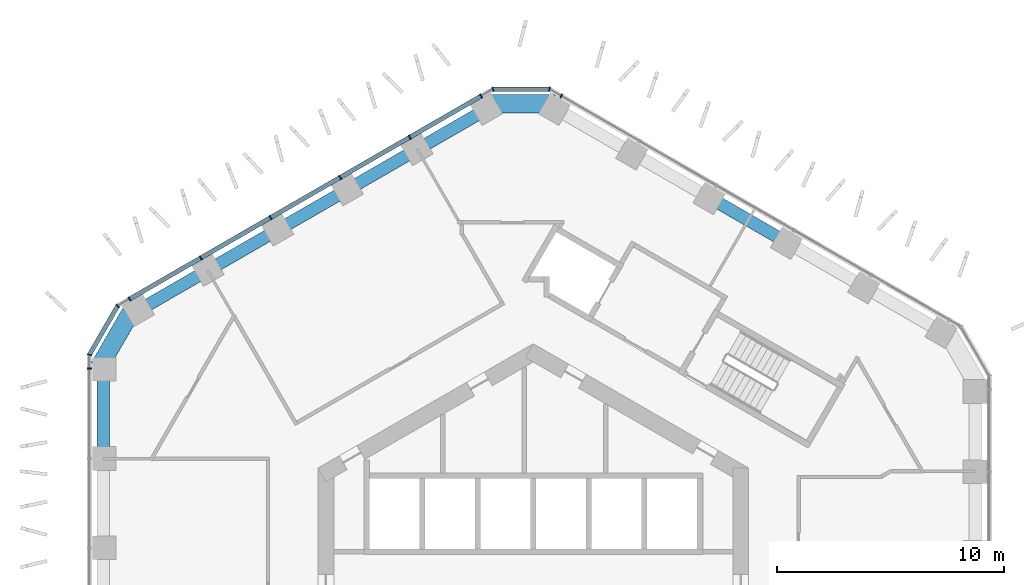
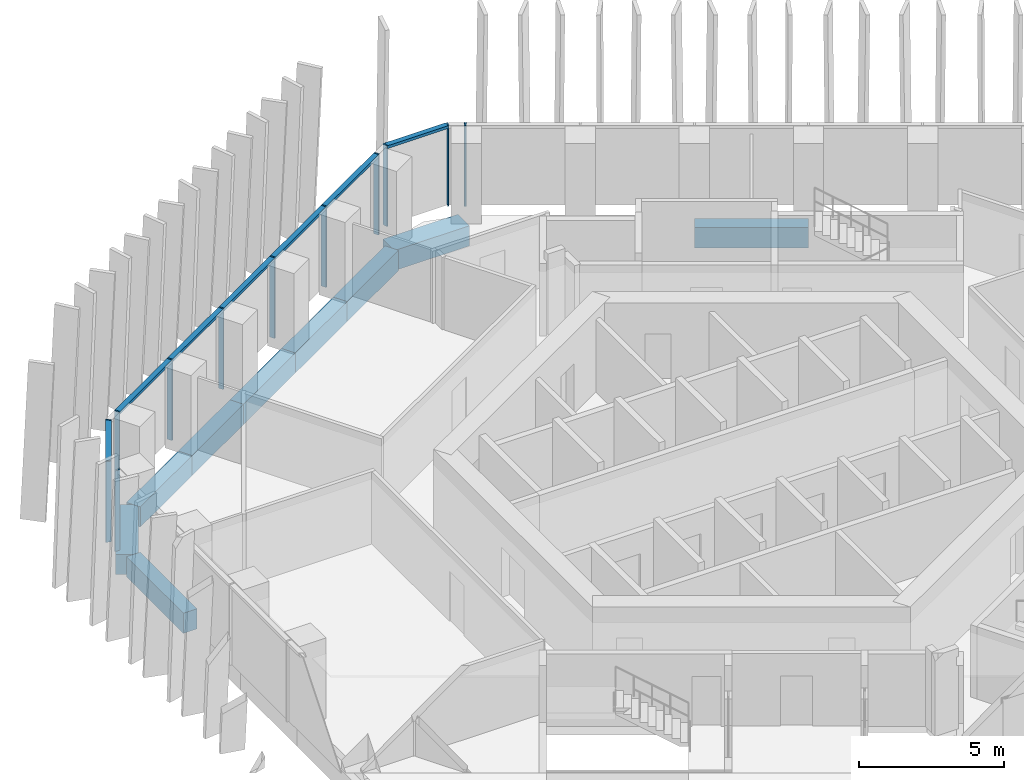
# One storey, part 6 of 19: 15 members, 9 beams, 5 elements without a shape of their own.
"""IFC4 building model written with IfcOpenShell, lengths in metres."""

import ifcopenshell
import ifcopenshell.guid

model = None  # the IFC model being written
_history = None  # IfcOwnerHistory: only IFC2X3 demands one
_inside = {}  # id of a spatial element -> (the spatial element, [elements in it])
_under = {}  # id of a project, library or spatial element -> (it, [spatial elements below it])
_declared = {}  # id of a project -> (the project, [libraries it declares])
_typed = {}  # id of a type object -> (the type object, [elements of that type])
_made_of = {}  # id of a material, layer set ... -> (it, [elements and type objects made of it])


def new_model(schema):
    """Start an empty IFC model of exactly this schema.

    Asked for "IFC4X3", IfcOpenShell would pick the latest addendum, in which some entities
    have other attributes; the version numbers below select the first issue.
    IFC2X3 requires an IfcOwnerHistory on every rooted entity: one is made here for all.
    """
    global model, _history
    if schema == "IFC4X3":
        model = ifcopenshell.file(schema_version=(4, 3, 0, 0))
    else:
        model = ifcopenshell.file(schema=schema)
    _inside.clear()
    _under.clear()
    _declared.clear()
    _typed.clear()
    _made_of.clear()
    _history = None
    if model.schema == "IFC2X3":
        org = make("IfcOrganization", Name="unknown")
        user = make(
            "IfcPersonAndOrganization",
            ThePerson=make("IfcPerson", FamilyName="unknown"),
            TheOrganization=org,
        )
        app = make(
            "IfcApplication",
            ApplicationDeveloper=org,
            Version="unknown",
            ApplicationFullName="unknown",
            ApplicationIdentifier="unknown",
        )
        _history = make(
            "IfcOwnerHistory",
            OwningUser=user,
            OwningApplication=app,
            ChangeAction="ADDED",
            CreationDate=0,
        )
    return model


def make(cls, **values):
    """One entity of the class cls with the attributes given. An attribute that is None is left unset."""
    return model.create_entity(
        cls, **{name: value for name, value in values.items() if value is not None}
    )


def rooted(cls, **values):
    """An entity with a GlobalId (a new one), such as an element, a storey or a relation."""
    return make(cls, GlobalId=ifcopenshell.guid.new(), OwnerHistory=_history, **values)


def si_unit(unit_type, name, prefix=None):
    """IfcSIUnit, for example si_unit("LENGTHUNIT", "METRE", prefix="MILLI")."""
    return make("IfcSIUnit", UnitType=unit_type, Prefix=prefix, Name=name)


def assignment(units):
    """IfcUnitAssignment: the units of a project."""
    return None if units is None else make("IfcUnitAssignment", Units=units)


def point(xyz):
    """IfcCartesianPoint."""
    return None if xyz is None else make("IfcCartesianPoint", Coordinates=xyz)


def direction(xyz):
    """IfcDirection."""
    return None if xyz is None else make("IfcDirection", DirectionRatios=xyz)


def frame(location, z_axis=None, x_axis=None):
    """IfcAxis2Placement3D, a coordinate frame: its origin and axes. An axis left out is left unset."""
    return make(
        "IfcAxis2Placement3D",
        Location=point(location),
        Axis=direction(z_axis),
        RefDirection=direction(x_axis),
    )


def frame_2d(location, x_axis=None):
    """IfcAxis2Placement2D, a coordinate frame in the plane: its origin and x axis."""
    return make(
        "IfcAxis2Placement2D", Location=point(location), RefDirection=direction(x_axis)
    )


def origin():
    """The frame at (0, 0, 0) with its axes left unset."""
    return frame((0.0, 0.0, 0.0))


def origin_2d():
    """The frame at (0, 0) in the plane with its x axis left unset."""
    return frame_2d((0.0, 0.0))


def place(relative_to, where):
    """IfcLocalPlacement: puts the frame where relative to a parent placement (None: the world)."""
    return make(
        "IfcLocalPlacement", PlacementRelTo=relative_to, RelativePlacement=where
    )


def context(
    kind, dimensions, precision=None, world=None, true_north=None, identifier=None
):
    """IfcGeometricRepresentationContext, for example the 3D "Model" context."""
    return make(
        "IfcGeometricRepresentationContext",
        ContextIdentifier=identifier,
        ContextType=kind,
        CoordinateSpaceDimension=dimensions,
        Precision=precision,
        WorldCoordinateSystem=world,
        TrueNorth=true_north,
    )


def subcontext(parent, identifier, kind, view, scale=None):
    """IfcGeometricRepresentationSubContext, for example "Body" below "Model"."""
    return make(
        "IfcGeometricRepresentationSubContext",
        ContextIdentifier=identifier,
        ContextType=kind,
        ParentContext=parent,
        TargetScale=scale,
        TargetView=view,
    )


def project(units=None, contexts=None):
    """IfcProject with its units and contexts."""
    return rooted(
        "IfcProject",
        Name="project",
        RepresentationContexts=contexts,
        UnitsInContext=assignment(units),
    )


def spatial(cls, under=None, at=None, **own):
    """A site, building, storey or space (cls), placed at a placement, below another one or the project."""
    s = rooted(cls, ObjectPlacement=at, **own)
    if under is not None:
        _under.setdefault(under.id(), (under, []))[1].append(s)
    return s


def profile(cls, at=None, kind="AREA", **sizes):
    """A parametric profile (cls). Its sizes go by their IFC names, for example OverallWidth=200.0."""
    return make(cls, ProfileType=kind, Position=at, **sizes)


def rectangle(**sizes):
    """IfcRectangleProfileDef."""
    return profile("IfcRectangleProfileDef", **sizes)


def extrude(swept, where, along, depth):
    """IfcExtrudedAreaSolid: the profile swept, set in the frame where, extruded along a direction by depth."""
    return make(
        "IfcExtrudedAreaSolid",
        SweptArea=swept,
        Position=where,
        ExtrudedDirection=direction(along),
        Depth=depth,
    )


def shape(context_of_items, identifier, shape_type, items):
    """IfcShapeRepresentation: the items that make up one representation, for example the "Body"."""
    return make(
        "IfcShapeRepresentation",
        ContextOfItems=context_of_items,
        RepresentationIdentifier=identifier,
        RepresentationType=shape_type,
        Items=items,
    )


def material(Name=None, Category=None):
    """IfcMaterial."""
    return make("IfcMaterial", Name=Name, Category=Category)


def layer(
    of_material, thickness, ventilated=None, Name=None, Category=None, Priority=None
):
    """IfcMaterialLayer: one layer of a wall or slab, of a material (None: an air gap)."""
    return make(
        "IfcMaterialLayer",
        Material=of_material,
        LayerThickness=thickness,
        IsVentilated=ventilated,
        Name=Name,
        Category=Category,
        Priority=Priority,
    )


def layer_set(layers, Name=None):
    """IfcMaterialLayerSet."""
    return make("IfcMaterialLayerSet", MaterialLayers=layers, LayerSetName=Name)


def material_profile(
    of_material, cross_section, Name=None, Category=None, Priority=None
):
    """IfcMaterialProfile: a cross section and its material."""
    return make(
        "IfcMaterialProfile",
        Name=Name,
        Material=of_material,
        Profile=cross_section,
        Priority=Priority,
        Category=Category,
    )


def profile_set(profiles, Name=None, composite=None):
    """IfcMaterialProfileSet."""
    return make(
        "IfcMaterialProfileSet",
        Name=Name,
        MaterialProfiles=profiles,
        CompositeProfile=composite,
    )


def made_of(thing, what):
    """Note that an element or type object is made of a material, layer set ...; save() writes the relation."""
    if what is not None:
        _made_of.setdefault(what.id(), (what, []))[1].append(thing)
    return thing


def type_object(cls, material=None, **own):
    """A type object (cls), such as IfcWallType, which elements share."""
    return made_of(rooted(cls, **own), material)


def element(
    cls,
    number,
    at=None,
    inside=None,
    cuts=None,
    type_object=None,
    material=None,
    context=None,
    identifier="Body",
    shape_type=None,
    held_by="IfcProductDefinitionShape",
    body=None,
    shapes=None,
    **own,
):
    """One element of the class cls, such as IfcWall. Its Tag is "e" and its number.

    at: its placement. inside: the storey or other place that contains it. cuts: it is an
    opening in that element (IfcRelVoidsElement). A single representation is given by context,
    identifier, shape_type and body (its items); several are given by shapes. held_by: the class
    of the entity that holds the representations. save() writes the other relations.
    """
    e = rooted(cls, Tag="e%d" % number, ObjectPlacement=at, **own)
    if body is not None:
        shapes = [shape(context, identifier, shape_type, body)]
    if shapes is not None:
        e.Representation = make(held_by, Representations=shapes)
    if inside is not None:
        _inside.setdefault(inside.id(), (inside, []))[1].append(e)
    if cuts is not None:
        rooted(
            "IfcRelVoidsElement", RelatingBuildingElement=cuts, RelatedOpeningElement=e
        )
    if type_object is not None:
        _typed.setdefault(type_object.id(), (type_object, []))[1].append(e)
    return made_of(e, material)


def aggregate(whole, parts):
    """IfcRelAggregates: a whole, such as a stair, and the parts it consists of."""
    return rooted("IfcRelAggregates", RelatingObject=whole, RelatedObjects=parts)


def save(model, path):
    """Write the relations noted so far, then the file.

    IfcRelAggregates (storeys below a building ...), IfcRelContainedInSpatialStructure (elements
    in a storey), IfcRelDefinesByType, IfcRelAssociatesMaterial and IfcRelDeclares: one each for
    every whole, place, type object, material and project.
    """
    for whole, parts in _under.values():
        aggregate(whole, parts)
    for where, things in _inside.values():
        rooted(
            "IfcRelContainedInSpatialStructure",
            RelatedElements=things,
            RelatingStructure=where,
        )
    for kind, things in _typed.values():
        rooted("IfcRelDefinesByType", RelatedObjects=things, RelatingType=kind)
    for what, things in _made_of.values():
        rooted("IfcRelAssociatesMaterial", RelatedObjects=things, RelatingMaterial=what)
    for by, libraries in _declared.values():
        rooted("IfcRelDeclares", RelatingContext=by, RelatedDefinitions=libraries)
    model.write(path)


model = new_model("IFC4")

# Units and contexts
model_context = context("Model", 3, precision=1e-05, world=origin(), true_north=direction((0.0, 1.0)))
body_context = subcontext(model_context, "Body", "Model", "MODEL_VIEW")
ifc_project = project(units=[si_unit("LENGTHUNIT", "METRE"), si_unit("AREAUNIT", "SQUARE_METRE"), si_unit("VOLUMEUNIT", "CUBIC_METRE"), si_unit("PLANEANGLEUNIT", "RADIAN"), si_unit("MASSUNIT", "GRAM", prefix="KILO")], contexts=[model_context])

# Site, building, storey
site_placement = place(None, origin())
site = spatial("IfcSite", under=ifc_project, at=site_placement, CompositionType="ELEMENT")
building_placement = place(site_placement, origin())
building = spatial("IfcBuilding", under=site, at=building_placement, Name="Ayvan Gate Tower", CompositionType="ELEMENT")
storey_placement = place(building_placement, frame((0.0, 0.0, 113.699951171875)))
storey = spatial("IfcBuildingStorey", under=building, at=storey_placement, Name="L30", CompositionType="ELEMENT", Elevation=113.699951171875)

# Beams
ifc_material_1 = material(Name="Concrete C40/50", Category="concrete")
ifc_material_profile_1 = material_profile(ifc_material_1, rectangle(XDim=0.800048828125, YDim=0.85009765625, at=origin_2d()), Name="RC 800x850")
ifc_profile_set_1 = profile_set([ifc_material_profile_1], Name="Concrete C40/50")
beam_type_1 = type_object("IfcBeamType", Name="Corner spandrel beam RC 800x850 C40/50", PredefinedType="BEAM", material=ifc_profile_set_1)
for number, where, z_axis, x_axis, name in (
    (1, (0.9794921875, 21.553466796875, -0.77490234375), (-1.0, 0.0, 0.0), (0.0, -1.0, 0.0), "SB-L30-12"),
    (2, (-17.655517578125, 12.526611328125, -0.77490234375), (-0.499990139034, -0.866031096941, 0.0), (0.866031096941, -0.499990139034, 0.0), "SB-L30-18"),
):
    element("IfcBeam", number, at=place(storey_placement, frame(where, z_axis=z_axis, x_axis=x_axis)), inside=storey, type_object=beam_type_1, Name=name, PredefinedType="BEAM", context=body_context, shape_type="SweptSolid", body=[
        extrude(rectangle(XDim=0.800048828125, YDim=0.85009765625, at=origin_2d()), origin(), (0.0, 0.0, 1.0), 3.0),
    ])
ifc_material_profile_2 = material_profile(ifc_material_1, rectangle(XDim=0.550048828125, YDim=0.85009765625, at=origin_2d()), Name="RC 550x850")
ifc_profile_set_2 = profile_set([ifc_material_profile_2], Name="Concrete C40/50")
beam_type_2 = type_object("IfcBeamType", Name="Spandrel beam RC 550x850 C40/50", PredefinedType="BEAM", material=ifc_profile_set_2)
beam_1_placement = place(storey_placement, frame((11.18310546875, 15.4423828125, -0.77490234375), z_axis=(-0.866027196549, 0.499996894828, 0.0), x_axis=(-0.499996894828, -0.866027196549, 0.0)))
element("IfcBeam", 3, at=beam_1_placement, inside=storey, type_object=beam_type_2, Name="SB-L30-9", PredefinedType="BEAM", context=body_context, shape_type="SweptSolid", body=[
    extrude(rectangle(XDim=0.550048828125, YDim=0.85009765625, at=origin_2d()), origin(), (0.0, 0.0, 1.0), 3.92724609375),
])
for number, where, z_axis, x_axis, name in (
    (4, (-2.0205078125, 21.33349609375, -0.77490234375), (-0.866014603225, -0.500018706652, 0.0), (0.500018706652, -0.866014603225, 0.0), "SB-L30-13"),
    (5, (-5.109375, 19.550048828125, -0.77490234375), (-0.866014603225, -0.500018706652, 0.0), (0.500018706652, -0.866014603225, 0.0), "SB-L30-14"),
    (6, (-8.1982421875, 17.7666015625, -0.77490234375), (-0.86604424267, -0.499967368674, 0.0), (0.499967368674, -0.86604424267, 0.0), "SB-L30-15"),
):
    element("IfcBeam", number, at=place(storey_placement, frame(where, z_axis=z_axis, x_axis=x_axis)), inside=storey, type_object=beam_type_2, Name=name, PredefinedType="BEAM", context=body_context, shape_type="SweptSolid", body=[
        extrude(rectangle(XDim=0.550048828125, YDim=0.85009765625, at=origin_2d()), origin(), (0.0, 0.0, 1.0), 3.566650390625),
    ])
beam_2_placement = place(storey_placement, frame((-11.287109375, 15.9833984375, -0.77490234375), z_axis=(-0.866031715191, -0.499989068163, 0.0), x_axis=(0.499989068163, -0.866031715191, 0.0)))
element("IfcBeam", 7, at=beam_2_placement, inside=storey, type_object=beam_type_2, Name="SB-L30-16", PredefinedType="BEAM", context=body_context, shape_type="SweptSolid", body=[
    extrude(rectangle(XDim=0.550048828125, YDim=0.85009765625, at=origin_2d()), origin(), (0.0, 0.0, 1.0), 3.56689453125),
])
beam_3_placement = place(storey_placement, frame((-14.376220703125, 14.199951171875, -0.77490234375), z_axis=(-0.866014603225, -0.500018706652, 0.0), x_axis=(0.500018706652, -0.866014603225, 0.0)))
element("IfcBeam", 8, at=beam_3_placement, inside=storey, type_object=beam_type_2, Name="SB-L30-17", PredefinedType="BEAM", context=body_context, shape_type="SweptSolid", body=[
    extrude(rectangle(XDim=0.550048828125, YDim=0.85009765625, at=origin_2d()), origin(), (0.0, 0.0, 1.0), 3.566650390625),
])
beam_4_placement = place(storey_placement, frame((-18.965087890625, 9.818603515625, -0.77490234375), z_axis=(0.0, -1.0, 0.0), x_axis=(1.0, 0.0, 0.0)))
element("IfcBeam", 9, at=beam_4_placement, inside=storey, type_object=beam_type_2, Name="SB-L30-19", PredefinedType="BEAM", context=body_context, shape_type="SweptSolid", body=[
    extrude(rectangle(XDim=0.550048828125, YDim=0.85009765625, at=origin_2d()), origin(), (0.0, 0.0, 1.0), 3.927490234375),
])

# Curtain wall, members
ifc_material_2 = material(Name="Bronze anodised aluminium", Category="aluminium")
ifc_layer_1 = layer(ifc_material_2, 0.199951171875)
ifc_layer_set_1 = layer_set([ifc_layer_1], Name="Bronze anodised aluminium")
curtain_wall_type_1 = type_object("IfcCurtainWallType", Name="Stick curtain wall CW-1", PredefinedType="NOTDEFINED", material=ifc_layer_set_1)
curtain_wall_1_placement = place(storey_placement, origin())
curtain_wall_1 = element("IfcCurtainWall", 10, at=curtain_wall_1_placement, inside=storey, type_object=curtain_wall_type_1, Name="Stick curtain wall CW-1 L30", PredefinedType="NOTDEFINED")
ifc_material_profile_3 = material_profile(ifc_material_2, rectangle(XDim=0.199951171875, YDim=0.06005859375, at=origin_2d()), Name="Stick curtain wall CW-1 mullion 200 x 60")
ifc_profile_set_3 = profile_set([ifc_material_profile_3], Name="Bronze anodised aluminium")
member_type_1 = type_object("IfcMemberType", Name="Stick curtain wall CW-1 mullion 200 x 60", PredefinedType="MULLION", material=ifc_profile_set_3)
member_1_placement = place(storey_placement, frame((-2.30126953125, 21.89306640625, 0.0), z_axis=(0.0, 0.0, 1.0), x_axis=(-0.5, 0.866025403784, 0.0)))
member_1 = element("IfcMember", 11, at=member_1_placement, type_object=member_type_1, Name="CW-1 mullion 1", PredefinedType="MULLION", context=body_context, shape_type="SweptSolid", body=[
    extrude(rectangle(XDim=0.199951171875, YDim=0.06005859375, at=origin_2d()), origin(), (0.0, 0.0, 1.0), 3.400146484375),
])
member_2_placement = place(storey_placement, frame((-5.447509765625, 20.076416015625, 0.0), z_axis=(0.0, 0.0, 1.0), x_axis=(-0.5, 0.866025403784, 0.0)))
member_2 = element("IfcMember", 12, at=member_2_placement, type_object=member_type_1, Name="CW-1 mullion 2", PredefinedType="MULLION", context=body_context, shape_type="SweptSolid", body=[
    extrude(rectangle(XDim=0.199951171875, YDim=0.06005859375, at=origin_2d()), origin(), (0.0, 0.0, 1.0), 3.400146484375),
])
member_3_placement = place(storey_placement, frame((-8.519287109375, 18.302978515625, 0.0), z_axis=(0.0, 0.0, 1.0), x_axis=(-0.5, 0.866025403784, 0.0)))
member_3 = element("IfcMember", 13, at=member_3_placement, type_object=member_type_1, Name="CW-1 mullion 3", PredefinedType="MULLION", context=body_context, shape_type="SweptSolid", body=[
    extrude(rectangle(XDim=0.199951171875, YDim=0.06005859375, at=origin_2d()), origin(), (0.0, 0.0, 1.0), 3.400146484375),
])
member_4_placement = place(storey_placement, frame((-11.59130859375, 16.529541015625, 0.0), z_axis=(0.0, 0.0, 1.0), x_axis=(-0.5, 0.866025403784, 0.0)))
member_4 = element("IfcMember", 14, at=member_4_placement, type_object=member_type_1, Name="CW-1 mullion 4", PredefinedType="MULLION", context=body_context, shape_type="SweptSolid", body=[
    extrude(rectangle(XDim=0.199951171875, YDim=0.06005859375, at=origin_2d()), origin(), (0.0, 0.0, 1.0), 3.400146484375),
])
member_5_placement = place(storey_placement, frame((-14.6630859375, 14.756103515625, 0.0), z_axis=(0.0, 0.0, 1.0), x_axis=(-0.5, 0.866025403784, 0.0)))
member_5 = element("IfcMember", 15, at=member_5_placement, type_object=member_type_1, Name="CW-1 mullion 5", PredefinedType="MULLION", context=body_context, shape_type="SweptSolid", body=[
    extrude(rectangle(XDim=0.199951171875, YDim=0.06005859375, at=origin_2d()), origin(), (0.0, 0.0, 1.0), 3.400146484375),
])
member_6_placement = place(storey_placement, frame((-17.809326171875, 12.939453125, 0.0), z_axis=(0.0, 0.0, 1.0), x_axis=(-0.5, 0.866025403784, 0.0)))
member_6 = element("IfcMember", 16, at=member_6_placement, type_object=member_type_1, Name="CW-1 mullion 6", PredefinedType="MULLION", context=body_context, shape_type="SweptSolid", body=[
    extrude(rectangle(XDim=0.199951171875, YDim=0.06005859375, at=origin_2d()), origin(), (0.0, 0.0, 1.0), 3.400146484375),
])

# Curtain wall, member
curtain_wall_2_placement = place(storey_placement, origin())
curtain_wall_2 = element("IfcCurtainWall", 17, at=curtain_wall_2_placement, inside=storey, type_object=curtain_wall_type_1, Name="Stick curtain wall CW-1 L30", PredefinedType="NOTDEFINED")
member_7_placement = place(storey_placement, frame((-19.576416015625, 9.878662109375, 0.0), z_axis=(0.0, 0.0, 1.0), x_axis=(-1.0, 0.0, 0.0)))
member_7 = element("IfcMember", 18, at=member_7_placement, type_object=member_type_1, Name="CW-1 mullion 1", PredefinedType="MULLION", context=body_context, shape_type="SweptSolid", body=[
    extrude(rectangle(XDim=0.199951171875, YDim=0.06005859375, at=origin_2d()), origin(), (0.0, 0.0, 1.0), 3.400146484375),
])
aggregate(curtain_wall_2, [member_7])

curtain_wall_3_placement = place(storey_placement, origin())
curtain_wall_3 = element("IfcCurtainWall", 19, at=curtain_wall_3_placement, inside=storey, type_object=curtain_wall_type_1, Name="Stick curtain wall CW-1 L30", PredefinedType="NOTDEFINED")
member_8_placement = place(storey_placement, frame((1.233154296875, 21.89306640625, 0.0), z_axis=(0.0, 0.0, 1.0), x_axis=(0.5, 0.866025403784, 0.0)))
member_8 = element("IfcMember", 20, at=member_8_placement, type_object=member_type_1, Name="CW-1 mullion 6", PredefinedType="MULLION", context=body_context, shape_type="SweptSolid", body=[
    extrude(rectangle(XDim=0.199951171875, YDim=0.06005859375, at=origin_2d()), origin(), (0.0, 0.0, 1.0), 3.400146484375),
])
aggregate(curtain_wall_3, [member_8])

# Member
ifc_material_profile_4 = material_profile(ifc_material_2, rectangle(XDim=0.199951171875, YDim=0.1201171875, at=origin_2d()), Name="Stick curtain wall CW-1 transom 200 x 120")
ifc_profile_set_4 = profile_set([ifc_material_profile_4], Name="Bronze anodised aluminium")
member_type_2 = type_object("IfcMemberType", Name="Stick curtain wall CW-1 transom 200 x 120", PredefinedType="USERDEFINED", material=ifc_profile_set_4)
member_9_placement = place(storey_placement, frame((-2.30126953125, 21.89306640625, 3.340087890625), z_axis=(-0.866024615359, -0.500001365591, 0.0), x_axis=(0.500001365591, -0.866024615359, 0.0)))
member_9 = element("IfcMember", 21, at=member_9_placement, type_object=member_type_2, Name="CW-1 transom 1", ObjectType="TRANSOM", PredefinedType="USERDEFINED", context=body_context, shape_type="SweptSolid", body=[
    extrude(rectangle(XDim=0.199951171875, YDim=0.1201171875, at=origin_2d()), origin(), (0.0, 0.0, 1.0), 17.9072265625),
])

aggregate(curtain_wall_1, [member_1, member_2, member_3, member_4, member_5, member_6, member_9])

# Curtain wall, members
ifc_layer_2 = layer(ifc_material_2, 0.199951171875)
ifc_layer_set_2 = layer_set([ifc_layer_2], Name="Bronze anodised aluminium")
curtain_wall_type_2 = type_object("IfcCurtainWallType", Name="Stick curtain wall CW-6", PredefinedType="NOTDEFINED", material=ifc_layer_set_2)
curtain_wall_4_placement = place(storey_placement, origin())
curtain_wall_4 = element("IfcCurtainWall", 22, at=curtain_wall_4_placement, inside=storey, type_object=curtain_wall_type_2, Name="Stick curtain wall CW-6 L30", PredefinedType="NOTDEFINED")
ifc_material_profile_5 = material_profile(ifc_material_2, rectangle(XDim=0.199951171875, YDim=0.050048828125, at=origin_2d()), Name="Stick curtain wall CW-6 mullion 200 x 50")
ifc_profile_set_5 = profile_set([ifc_material_profile_5], Name="Bronze anodised aluminium")
member_type_3 = type_object("IfcMemberType", Name="Stick curtain wall CW-6 mullion 200 x 50", PredefinedType="MULLION", material=ifc_profile_set_5)
member_10_placement = place(storey_placement, frame((-18.333251953125, 12.636962890625, 0.0), z_axis=(0.0, 0.0, 1.0), x_axis=(-0.707106781187, 0.707106781187, 0.0)))
member_10 = element("IfcMember", 23, at=member_10_placement, type_object=member_type_3, Name="CW-6 mullion 2", PredefinedType="MULLION", context=body_context, shape_type="SweptSolid", body=[
    extrude(rectangle(XDim=0.199951171875, YDim=0.050048828125, at=origin_2d()), origin(), (0.0, 0.0, 1.0), 3.400146484375),
])
member_11_placement = place(storey_placement, frame((-19.576416015625, 10.483642578125, 0.0), z_axis=(0.0, 0.0, 1.0), x_axis=(-0.965925826289, 0.258819045103, 0.0)))
member_11 = element("IfcMember", 24, at=member_11_placement, type_object=member_type_3, Name="CW-6 mullion 3", PredefinedType="MULLION", context=body_context, shape_type="SweptSolid", body=[
    extrude(rectangle(XDim=0.199951171875, YDim=0.050048828125, at=origin_2d()), origin(), (0.0, 0.0, 1.0), 3.400146484375),
])

curtain_wall_5_placement = place(storey_placement, origin())
curtain_wall_5 = element("IfcCurtainWall", 25, at=curtain_wall_5_placement, inside=storey, type_object=curtain_wall_type_2, Name="Stick curtain wall CW-6 L30", PredefinedType="NOTDEFINED")
member_12_placement = place(storey_placement, frame((0.709228515625, 22.195556640625, 0.0), z_axis=(0.0, 0.0, 1.0), x_axis=(0.258819045103, 0.965925826289, 0.0)))
member_12 = element("IfcMember", 26, at=member_12_placement, type_object=member_type_3, Name="CW-6 mullion 2", PredefinedType="MULLION", context=body_context, shape_type="SweptSolid", body=[
    extrude(rectangle(XDim=0.199951171875, YDim=0.050048828125, at=origin_2d()), origin(), (0.0, 0.0, 1.0), 3.400146484375),
])
member_13_placement = place(storey_placement, frame((-1.77734375, 22.195556640625, 0.0), z_axis=(0.0, 0.0, 1.0), x_axis=(-0.258819045103, 0.965925826289, 0.0)))
member_13 = element("IfcMember", 27, at=member_13_placement, type_object=member_type_3, Name="CW-6 mullion 3", PredefinedType="MULLION", context=body_context, shape_type="SweptSolid", body=[
    extrude(rectangle(XDim=0.199951171875, YDim=0.050048828125, at=origin_2d()), origin(), (0.0, 0.0, 1.0), 3.400146484375),
])

# Member
ifc_material_profile_6 = material_profile(ifc_material_2, rectangle(XDim=0.199951171875, YDim=0.1201171875, at=origin_2d()), Name="Stick curtain wall CW-6 transom 200 x 120")
ifc_profile_set_6 = profile_set([ifc_material_profile_6], Name="Bronze anodised aluminium")
member_type_4 = type_object("IfcMemberType", Name="Stick curtain wall CW-6 transom 200 x 120", PredefinedType="USERDEFINED", material=ifc_profile_set_6)
member_14_placement = place(storey_placement, frame((-18.345703125, 12.615478515625, 3.340087890625), z_axis=(-0.499997116, -0.866027068856, 0.0), x_axis=(0.866027068856, -0.499997116, 0.0)))
member_14 = element("IfcMember", 28, at=member_14_placement, type_object=member_type_4, Name="CW-6 transom 2", ObjectType="TRANSOM", PredefinedType="USERDEFINED", context=body_context, shape_type="SweptSolid", body=[
    extrude(rectangle(XDim=0.199951171875, YDim=0.1201171875, at=origin_2d()), origin(), (0.0, 0.0, 1.0), 2.4365234375),
])

aggregate(curtain_wall_4, [member_10, member_11, member_14])

member_15_placement = place(storey_placement, frame((0.68408203125, 22.195556640625, 3.340087890625), z_axis=(-1.0, 0.0, 0.0), x_axis=(0.0, -1.0, 0.0)))
member_15 = element("IfcMember", 29, at=member_15_placement, type_object=member_type_4, Name="CW-6 transom 2", ObjectType="TRANSOM", PredefinedType="USERDEFINED", context=body_context, shape_type="SweptSolid", body=[
    extrude(rectangle(XDim=0.199951171875, YDim=0.1201171875, at=origin_2d()), origin(), (0.0, 0.0, 1.0), 2.4365234375),
])

aggregate(curtain_wall_5, [member_12, member_13, member_15])

save(model, "model.ifc")
